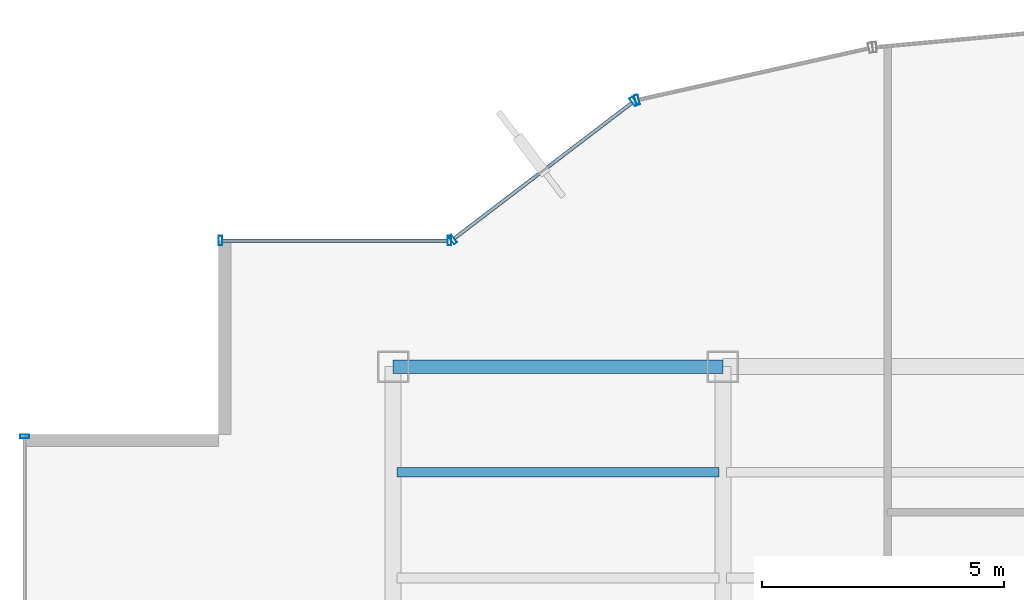
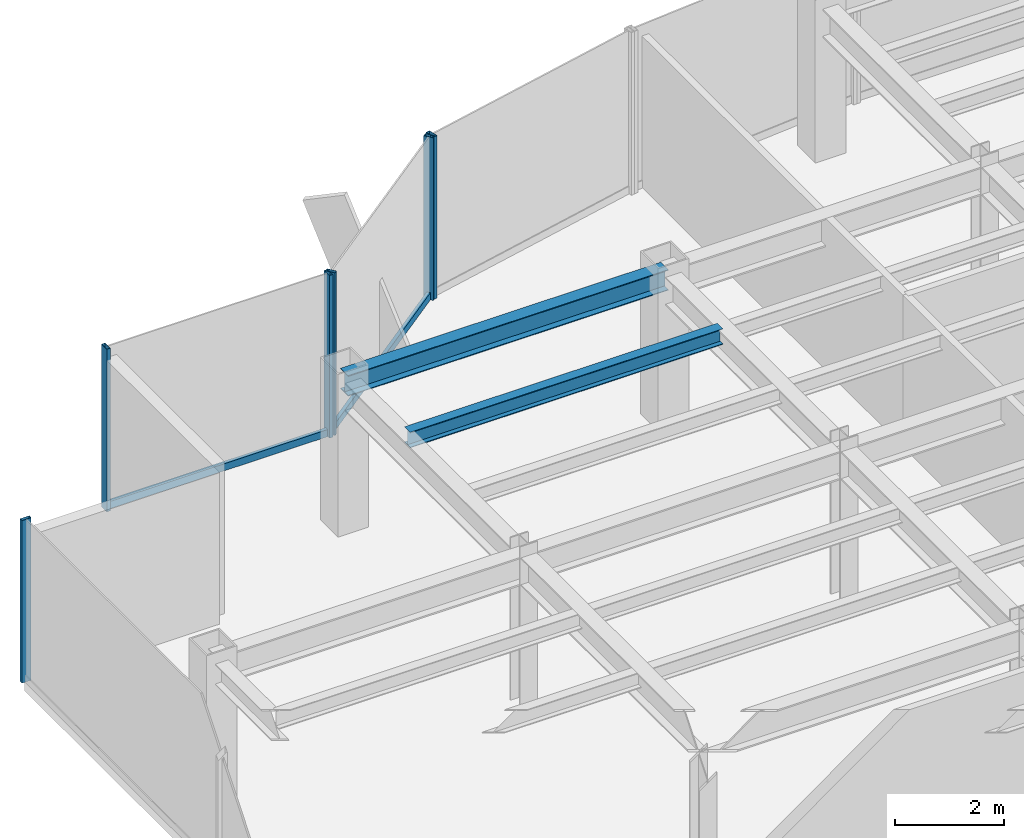
# One storey, part 14 of 25: 8 members, 2 beams, 4 elements without a shape of their own.
"""IFC4 building model written with IfcOpenShell, lengths in metres."""

from ifc_helpers import new_model, si_unit, derived_unit, direction, frame, origin, origin_2d, place, context, subcontext, project, spatial, hollow_rectangle, i_section, extrude, source, transform, mapped, material, material_profile, profile_set, type_object, element, aggregate, save


model = new_model("IFC4")

# Units and contexts
model_context = context("Model", 3, precision=1e-05, world=origin(), true_north=direction((0.0, 1.0)))
body_context = subcontext(model_context, "Body", "Model", "MODEL_VIEW")
ifc_project = project(units=[si_unit("LENGTHUNIT", "METRE"), si_unit("AREAUNIT", "SQUARE_METRE"), si_unit("VOLUMEUNIT", "CUBIC_METRE"), si_unit("PLANEANGLEUNIT", "RADIAN"), si_unit("MASSUNIT", "GRAM", prefix="KILO"), derived_unit("THERMALTRANSMITTANCEUNIT", [(si_unit("POWERUNIT", "WATT"), 1), (si_unit("LENGTHUNIT", "METRE"), -2), (si_unit("THERMODYNAMICTEMPERATUREUNIT", "KELVIN"), -1)])], contexts=[model_context])

# Site, building, storey
site_placement = place(None, origin())
site = spatial("IfcSite", under=ifc_project, at=site_placement, CompositionType="ELEMENT")
building_placement = place(site_placement, origin())
building = spatial("IfcBuilding", under=site, at=building_placement, Name="Skarnbrae Concourse Arena and Tower", CompositionType="ELEMENT")
storey_placement = place(building_placement, frame((0.0, 0.0, 162.5)))
storey = spatial("IfcBuildingStorey", under=building, at=storey_placement, Name="L41", CompositionType="ELEMENT", Elevation=162.5)

# Beams
ifc_material_1 = material(Name="Steel CSA G40.21 350W", Category="steel")
ifc_material_profile_1 = material_profile(ifc_material_1, i_section(OverallWidth=0.280029296875, OverallDepth=0.462890625, WebThickness=0.0107421875, FlangeThickness=0.017333984375, at=origin_2d()), Name="W460X113")
ifc_profile_set_1 = profile_set([ifc_material_profile_1], Name="Steel CSA G40.21 350W")
beam_type_1 = type_object("IfcBeamType", Name="BM-SPAN-W460X113", PredefinedType="SPANDREL", material=ifc_profile_set_1)
shared_shape_1 = source(origin(), body_context, "Body", "SweptSolid", [
    extrude(i_section(OverallWidth=0.280029296875, OverallDepth=0.462890625, WebThickness=0.0107421875, FlangeThickness=0.017333984375, at=origin_2d()), origin(), (0.0, 0.0, 1.0), 6.7998046875),
])
beam_1_placement = place(storey_placement, frame((7.60009765625, 34.39990234375, 3.16845703125), z_axis=(1.0, 0.0, 0.0), x_axis=(0.0, 1.0, 0.0)))
element("IfcBeam", 1, at=beam_1_placement, inside=storey, type_object=beam_type_1, Name="L41 Perimeter spandrel Y34.4-1", PredefinedType="SPANDREL", context=body_context, shape_type="MappedRepresentation", body=[
    mapped(shared_shape_1, transform((0.0, 0.0, 0.0))),
])
ifc_material_profile_2 = material_profile(ifc_material_1, i_section(OverallWidth=0.205078125, OverallDepth=0.35400390625, WebThickness=0.009521484375, FlangeThickness=0.016845703125, at=origin_2d()), Name="W360X79")
ifc_profile_set_2 = profile_set([ifc_material_profile_2], Name="Steel CSA G40.21 350W")
beam_type_2 = type_object("IfcBeamType", Name="BM-JOIST-W360X79", PredefinedType="JOIST", material=ifc_profile_set_2)
shared_shape_2 = source(origin(), body_context, "Body", "SweptSolid", [
    extrude(i_section(OverallWidth=0.205078125, OverallDepth=0.35400390625, WebThickness=0.009521484375, FlangeThickness=0.016845703125, at=origin_2d()), origin(), (0.0, 0.0, 1.0), 6.64013671875),
])
beam_2_placement = place(storey_placement, frame((7.679931640625, 32.221923828125, 3.222900390625), z_axis=(1.0, 0.0, 0.0), x_axis=(0.0, 1.0, 0.0)))
element("IfcBeam", 2, at=beam_2_placement, inside=storey, type_object=beam_type_2, Name="L41 Secondary floor joist 3.2.1", PredefinedType="JOIST", context=body_context, shape_type="MappedRepresentation", body=[
    mapped(shared_shape_2, transform((0.0, 0.0, 0.0))),
])

# Curtain wall, member
ifc_material_2 = material(Name="Bronze anodised aluminium 6063-T6", Category="aluminium")
curtain_wall_type_1 = type_object("IfcCurtainWallType", Name="CW-SYS-03-PORTAL", PredefinedType="USERDEFINED", material=ifc_material_2)
curtain_wall_1_placement = place(storey_placement, origin())
curtain_wall_1 = element("IfcCurtainWall", 3, at=curtain_wall_1_placement, inside=storey, type_object=curtain_wall_type_1, Name="L41 Unitised curtain wall CW-L41-E13", ObjectType="UNITISED CURTAIN WALL", PredefinedType="USERDEFINED")
ifc_material_profile_3 = material_profile(ifc_material_2, hollow_rectangle(XDim=0.080078125, YDim=0.2099609375, WallThickness=0.00439453125, at=origin_2d()), Name="ALU-MULL-80X210")
ifc_profile_set_3 = profile_set([ifc_material_profile_3], Name="Bronze anodised aluminium 6063-T6")
member_type_1 = type_object("IfcMemberType", Name="CWM-CW-03", PredefinedType="MULLION", material=ifc_profile_set_3)
shared_shape_3 = source(origin(), body_context, "Body", "SweptSolid", [
    extrude(hollow_rectangle(XDim=0.080078125, YDim=0.2099609375, WallThickness=0.00439453125, at=origin_2d()), origin(), (0.0, 0.0, 1.0), 3.64990234375),
])
member_1_placement = place(storey_placement, frame((12.62939453125, 39.9013671875, 0.0), z_axis=(0.0, 0.0, 1.0), x_axis=(-0.975936175393, -0.218056372433, 0.0)))
member_1 = element("IfcMember", 4, at=member_1_placement, type_object=member_type_1, Name="CW-L41-E13 Mullion 2", PredefinedType="MULLION", context=body_context, shape_type="MappedRepresentation", body=[
    mapped(shared_shape_3, transform((0.0, 0.0, 0.0))),
])
aggregate(curtain_wall_1, [member_1])

# Curtain wall, members
curtain_wall_type_2 = type_object("IfcCurtainWallType", Name="CW-SYS-04-MIDZONE", PredefinedType="USERDEFINED", material=ifc_material_2)
curtain_wall_2_placement = place(storey_placement, origin())
curtain_wall_2 = element("IfcCurtainWall", 5, at=curtain_wall_2_placement, inside=storey, type_object=curtain_wall_type_2, Name="L41 Unitised curtain wall CW-L41-E14", ObjectType="UNITISED CURTAIN WALL", PredefinedType="USERDEFINED")
ifc_material_profile_4 = material_profile(ifc_material_2, hollow_rectangle(XDim=0.074951171875, YDim=0.195068359375, WallThickness=0.00439453125, at=origin_2d()), Name="ALU-MULL-75X195")
ifc_profile_set_4 = profile_set([ifc_material_profile_4], Name="Bronze anodised aluminium 6063-T6")
member_type_2 = type_object("IfcMemberType", Name="CWM-CW-04", PredefinedType="MULLION", material=ifc_profile_set_4)
shared_shape_4 = source(origin(), body_context, "Body", "SweptSolid", [
    extrude(hollow_rectangle(XDim=0.074951171875, YDim=0.195068359375, WallThickness=0.00439453125, at=origin_2d()), origin(), (0.0, 0.0, 1.0), 3.64990234375),
])
member_2_placement = place(storey_placement, frame((12.560791015625, 39.869873046875, 0.0), z_axis=(0.0, 0.0, 1.0), x_axis=(-0.794956000706, -0.606667089054, 0.0)))
member_2 = element("IfcMember", 6, at=member_2_placement, type_object=member_type_2, Name="CW-L41-E14 Mullion 1", PredefinedType="MULLION", context=body_context, shape_type="MappedRepresentation", body=[
    mapped(shared_shape_4, transform((0.0, 0.0, 0.0))),
])
member_3_placement = place(storey_placement, frame((8.829833984375, 37.022705078125, 0.0), z_axis=(0.0, 0.0, 1.0), x_axis=(-0.794956000706, -0.606667089054, 0.0)))
member_3 = element("IfcMember", 7, at=member_3_placement, type_object=member_type_2, Name="CW-L41-E14 Mullion 2", PredefinedType="MULLION", context=body_context, shape_type="MappedRepresentation", body=[
    mapped(shared_shape_4, transform((0.0, 0.0, 0.0))),
])

curtain_wall_3_placement = place(storey_placement, origin())
curtain_wall_3 = element("IfcCurtainWall", 8, at=curtain_wall_3_placement, inside=storey, type_object=curtain_wall_type_2, Name="L41 Unitised curtain wall CW-L41-E15", ObjectType="UNITISED CURTAIN WALL", PredefinedType="USERDEFINED")
member_4_placement = place(storey_placement, frame((8.762451171875, 37.0, 0.0), z_axis=(0.0, 0.0, 1.0), x_axis=(-1.0, 0.0, 0.0)))
member_4 = element("IfcMember", 9, at=member_4_placement, type_object=member_type_2, Name="CW-L41-E15 Mullion 1", PredefinedType="MULLION", context=body_context, shape_type="MappedRepresentation", body=[
    mapped(shared_shape_4, transform((0.0, 0.0, 0.0))),
])
member_5_placement = place(storey_placement, frame((4.03759765625, 37.0, 0.0), z_axis=(0.0, 0.0, 1.0), x_axis=(-1.0, 0.0, 0.0)))
member_5 = element("IfcMember", 10, at=member_5_placement, type_object=member_type_2, Name="CW-L41-E15 Mullion 2", PredefinedType="MULLION", context=body_context, shape_type="MappedRepresentation", body=[
    mapped(shared_shape_4, transform((0.0, 0.0, 0.0))),
])

# Curtain wall, member
curtain_wall_4_placement = place(storey_placement, origin())
curtain_wall_4 = element("IfcCurtainWall", 11, at=curtain_wall_4_placement, inside=storey, type_object=curtain_wall_type_2, Name="L41 Unitised curtain wall CW-L41-E18", ObjectType="UNITISED CURTAIN WALL", PredefinedType="USERDEFINED")
member_6_placement = place(storey_placement, frame((0.0, 32.96240234375, 0.0), z_axis=(0.0, 0.0, 1.0), x_axis=(0.0, -1.0, 0.0)))
member_6 = element("IfcMember", 12, at=member_6_placement, type_object=member_type_2, Name="CW-L41-E18 Mullion 1", PredefinedType="MULLION", context=body_context, shape_type="MappedRepresentation", body=[
    mapped(shared_shape_4, transform((0.0, 0.0, 0.0))),
])
aggregate(curtain_wall_4, [member_6])

# Member
ifc_material_profile_5 = material_profile(ifc_material_2, hollow_rectangle(XDim=0.074951171875, YDim=0.159912109375, WallThickness=0.00439453125, at=origin_2d()), Name="ALU-TRAN-75X160")
ifc_profile_set_5 = profile_set([ifc_material_profile_5], Name="Bronze anodised aluminium 6063-T6")
member_type_3 = type_object("IfcMemberType", Name="CWT-CW-04", PredefinedType="USERDEFINED", material=ifc_profile_set_5)
shared_shape_5 = source(origin(), body_context, "Body", "SweptSolid", [
    extrude(hollow_rectangle(XDim=0.074951171875, YDim=0.159912109375, WallThickness=0.00439453125, at=origin_2d()), origin(), (0.0, 0.0, 1.0), 4.650146484375),
])
member_7_placement = place(storey_placement, frame((8.72509765625, 37.0, 0.080078125), z_axis=(-1.0, 0.0, 0.0), x_axis=(0.0, -1.0, 0.0)))
member_7 = element("IfcMember", 13, at=member_7_placement, type_object=member_type_3, Name="CW-L41-E15 Transom 1", ObjectType="TRANSOM", PredefinedType="USERDEFINED", context=body_context, shape_type="MappedRepresentation", body=[
    mapped(shared_shape_5, transform((0.0, 0.0, 0.0))),
])

aggregate(curtain_wall_3, [member_4, member_5, member_7])

shared_shape_6 = source(origin(), body_context, "Body", "SweptSolid", [
    extrude(hollow_rectangle(XDim=0.074951171875, YDim=0.159912109375, WallThickness=0.00439453125, at=origin_2d()), origin(), (0.0, 0.0, 1.0), 4.618408203125),
])
member_8_placement = place(storey_placement, frame((12.531005859375, 39.84716796875, 0.080078125), z_axis=(-0.794960638756, -0.606661011462, 0.0), x_axis=(0.606661011462, -0.794960638756, 0.0)))
member_8 = element("IfcMember", 14, at=member_8_placement, type_object=member_type_3, Name="CW-L41-E14 Transom 1", ObjectType="TRANSOM", PredefinedType="USERDEFINED", context=body_context, shape_type="MappedRepresentation", body=[
    mapped(shared_shape_6, transform((0.0, 0.0, 0.0))),
])

aggregate(curtain_wall_2, [member_2, member_3, member_8])

save(model, "model.ifc")
